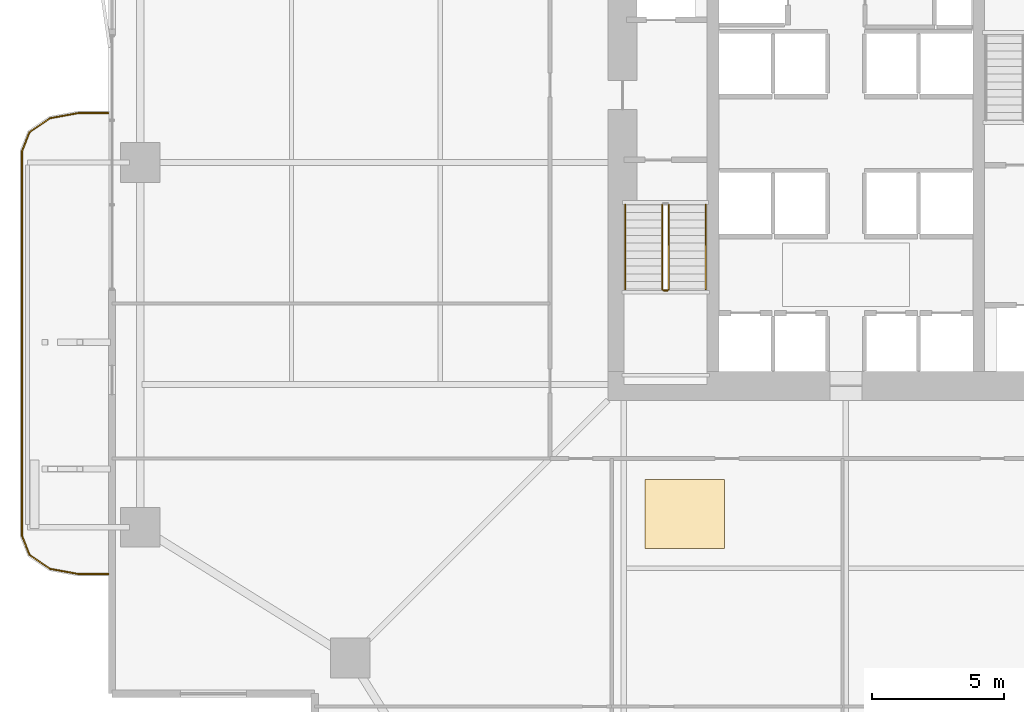
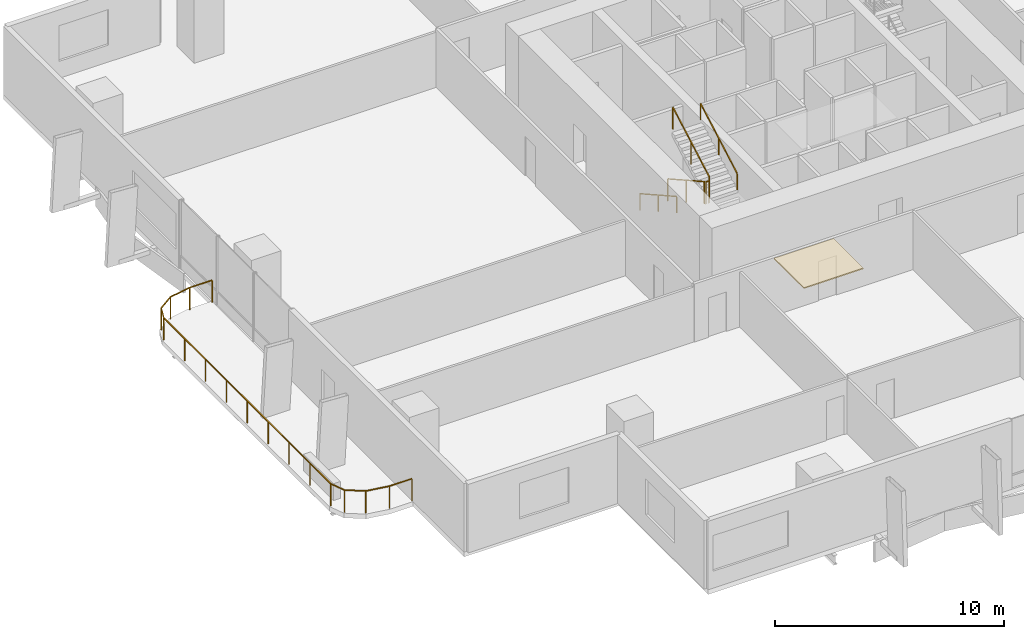
# One storey, part 21 of 24: 6 railings, 1 covering.
"""IFC4 building model written with IfcOpenShell, lengths in metres."""

from ifc_helpers import new_model, si_unit, direction, frame, origin, origin_2d, place, context, subcontext, project, spatial, polyline, rectangle, outline, extrude, material, layer, layer_set, type_object, element, save


model = new_model("IFC4")

# Units and contexts
model_context = context("Model", 3, precision=1e-05, world=origin(), true_north=direction((0.0, 1.0)))
body_context = subcontext(model_context, "Body", "Model", "MODEL_VIEW")
ifc_project = project(units=[si_unit("LENGTHUNIT", "METRE"), si_unit("AREAUNIT", "SQUARE_METRE"), si_unit("VOLUMEUNIT", "CUBIC_METRE"), si_unit("PLANEANGLEUNIT", "RADIAN"), si_unit("MASSUNIT", "GRAM", prefix="KILO")], contexts=[model_context])

# Site, building, storey
site_placement = place(None, origin())
site = spatial("IfcSite", under=ifc_project, at=site_placement, CompositionType="ELEMENT")
building_placement = place(site_placement, origin())
building = spatial("IfcBuilding", under=site, at=building_placement, Name="Belovzor Exchange Tower", CompositionType="ELEMENT")
storey_placement = place(building_placement, frame((0.0, 0.0, 61.199951171875)))
storey = spatial("IfcBuildingStorey", under=building, at=storey_placement, Name="L14", CompositionType="ELEMENT", Elevation=61.199951171875)

# Railings
ifc_material_1 = material(Name="Stainless Steel Grade 304", Category="steel")
railing_type_1 = type_object("IfcRailingType", Name="Brushed Stainless Steel Stair Handrail 900", PredefinedType="HANDRAIL", material=ifc_material_1)
railing_1_placement = place(storey_placement, frame((20.449951171875, 27.199951171875, 0.16259765625)))
element("IfcRailing", 1, at=railing_1_placement, inside=storey, type_object=railing_type_1, Name="L14 ST-1 stair handrail 1", PredefinedType="HANDRAIL", context=body_context, shape_type="SweptSolid", body=[
    extrude(rectangle(XDim=0.048095703125, YDim=0.048095703125, at=origin_2d()), frame((0.0, 0.0, 0.8759765625), z_axis=(0.0, -0.872390997893, 0.488808701636), x_axis=(1.0, 0.0, 0.0)), (0.0, 0.0, 1.0), 3.656494140625),
    extrude(rectangle(XDim=0.0419921875, YDim=0.0419921875, at=origin_2d()), origin(), (0.0, 0.0, 1.0), 0.851806640625),
    extrude(rectangle(XDim=0.0419921875, YDim=0.0419921875, at=origin_2d()), frame((0.0, -1.594970703125, 0.8935546875)), (0.0, 0.0, 1.0), 0.851806640625),
    extrude(rectangle(XDim=0.0419921875, YDim=0.0419921875, at=origin_2d()), frame((0.0, -3.18994140625, 1.787353515625)), (0.0, 0.0, 1.0), 0.851806640625),
])
railing_2_placement = place(storey_placement, frame((23.5, 24.010009765625, 2.112548828125)))
element("IfcRailing", 2, at=railing_2_placement, inside=storey, type_object=railing_type_1, Name="L14 ST-1 stair handrail 2", PredefinedType="HANDRAIL", context=body_context, shape_type="SweptSolid", body=[
    extrude(rectangle(XDim=0.048095703125, YDim=0.048095703125, at=origin_2d()), frame((0.0, 0.0, 0.8759765625), z_axis=(0.0, 0.8723625253, 0.488859514025), x_axis=(-1.0, 0.0, 0.0)), (0.0, 0.0, 1.0), 3.65673828125),
    extrude(rectangle(XDim=0.0419921875, YDim=0.0419921875, at=origin_2d()), origin(), (0.0, 0.0, 1.0), 0.851806640625),
    extrude(rectangle(XDim=0.0419921875, YDim=0.0419921875, at=origin_2d()), frame((0.0, 1.594970703125, 0.893798828125)), (0.0, 0.0, 1.0), 0.851806640625),
    extrude(rectangle(XDim=0.0419921875, YDim=0.0419921875, at=origin_2d()), frame((0.0, 3.18994140625, 1.78759765625)), (0.0, 0.0, 1.0), 0.851806640625),
])
ifc_material_2 = material(Name="Stainless Steel and Laminated Safety Glass", Category="steel")
railing_type_2 = type_object("IfcRailingType", Name="Laminated Glass & Stainless Steel Balcony Balustrade 1200", PredefinedType="BALUSTRADE", material=ifc_material_2)
railing_3_placement = place(storey_placement, frame((0.889892578125, 30.669921875, 0.0)))
element("IfcRailing", 3, at=railing_3_placement, inside=storey, type_object=railing_type_2, Name="GR-1 Balcony Balustrade L14 West", PredefinedType="BALUSTRADE", context=body_context, shape_type="SweptSolid", body=[
    extrude(rectangle(XDim=0.048095703125, YDim=0.048095703125, at=origin_2d()), frame((0.0, 0.0, 1.17578125), z_axis=(-1.0, 0.0, 0.0), x_axis=(0.0, -1.0, 0.0)), (0.0, 0.0, 1.0), 1.1328125),
    extrude(rectangle(XDim=0.048095703125, YDim=0.048095703125, at=origin_2d()), frame((-1.1328125, 0.0, 1.17578125), z_axis=(-0.983651385113, -0.180083182347, 0.0), x_axis=(0.180083182347, -0.983651385113, 0.0)), (0.0, 0.0, 1.0), 1.093994140625),
    extrude(rectangle(XDim=0.048095703125, YDim=0.048095703125, at=origin_2d()), frame((-2.208984375, -0.197021484375, 1.17578125), z_axis=(-0.826614792125, -0.562768145367, 0.0), x_axis=(0.562768145367, -0.826614792125, 0.0)), (0.0, 0.0, 1.0), 0.9326171875),
    extrude(rectangle(XDim=0.048095703125, YDim=0.048095703125, at=origin_2d()), frame((-2.97998046875, -0.721923828125, 1.17578125), z_axis=(-0.365612923861, -0.930766990125, 0.0), x_axis=(0.930766990125, -0.365612923861, 0.0)), (0.0, 0.0, 1.0), 0.765869140625),
    extrude(rectangle(XDim=0.048095703125, YDim=0.048095703125, at=origin_2d()), frame((-3.260009765625, -1.434814453125, 1.17578125), z_axis=(0.0, -1.0, 0.0), x_axis=(1.0, 0.0, 0.0)), (0.0, 0.0, 1.0), 14.570068359375),
    extrude(rectangle(XDim=0.048095703125, YDim=0.048095703125, at=origin_2d()), frame((-3.260009765625, -16.0048828125, 1.17578125), z_axis=(0.365504480807, -0.930809580156, 0.0), x_axis=(0.930809580156, 0.365504480807, 0.0)), (0.0, 0.0, 1.0), 0.76611328125),
    extrude(rectangle(XDim=0.048095703125, YDim=0.048095703125, at=origin_2d()), frame((-2.97998046875, -16.718017578125, 1.17578125), z_axis=(0.826614792125, -0.562768145367, 0.0), x_axis=(0.562768145367, 0.826614792125, 0.0)), (0.0, 0.0, 1.0), 0.9326171875),
    extrude(rectangle(XDim=0.048095703125, YDim=0.048095703125, at=origin_2d()), frame((-2.208984375, -17.242919921875, 1.17578125), z_axis=(0.983651385113, -0.180083182347, 0.0), x_axis=(0.180083182347, 0.983651385113, 0.0)), (0.0, 0.0, 1.0), 1.093994140625),
    extrude(rectangle(XDim=0.048095703125, YDim=0.048095703125, at=origin_2d()), frame((-1.1328125, -17.43994140625, 1.17578125), z_axis=(1.0, 0.0, 0.0), x_axis=(0.0, 1.0, 0.0)), (0.0, 0.0, 1.0), 1.1328125),
    extrude(rectangle(XDim=0.0419921875, YDim=0.0419921875, at=origin_2d()), origin(), (0.0, 0.0, 1.0), 1.15185546875),
    extrude(rectangle(XDim=0.0419921875, YDim=0.0419921875, at=origin_2d()), frame((-1.1328125, 0.0, 0.0)), (0.0, 0.0, 1.0), 1.15185546875),
    extrude(rectangle(XDim=0.0419921875, YDim=0.0419921875, at=origin_2d()), frame((-2.208984375, -0.197021484375, 0.0)), (0.0, 0.0, 1.0), 1.15185546875),
    extrude(rectangle(XDim=0.0419921875, YDim=0.0419921875, at=origin_2d()), frame((-2.97998046875, -0.721923828125, 0.0)), (0.0, 0.0, 1.0), 1.15185546875),
    extrude(rectangle(XDim=0.0419921875, YDim=0.0419921875, at=origin_2d()), frame((-3.260009765625, -1.434814453125, 0.0)), (0.0, 0.0, 1.0), 1.15185546875),
    extrude(rectangle(XDim=0.0419921875, YDim=0.0419921875, at=origin_2d()), frame((-3.260009765625, -3.256103515625, 0.0)), (0.0, 0.0, 1.0), 1.15185546875),
    extrude(rectangle(XDim=0.0419921875, YDim=0.0419921875, at=origin_2d()), frame((-3.260009765625, -5.077392578125, 0.0)), (0.0, 0.0, 1.0), 1.15185546875),
    extrude(rectangle(XDim=0.0419921875, YDim=0.0419921875, at=origin_2d()), frame((-3.260009765625, -6.898681640625, 0.0)), (0.0, 0.0, 1.0), 1.15185546875),
    extrude(rectangle(XDim=0.0419921875, YDim=0.0419921875, at=origin_2d()), frame((-3.260009765625, -8.7197265625, 0.0)), (0.0, 0.0, 1.0), 1.15185546875),
    extrude(rectangle(XDim=0.0419921875, YDim=0.0419921875, at=origin_2d()), frame((-3.260009765625, -10.541015625, 0.0)), (0.0, 0.0, 1.0), 1.15185546875),
    extrude(rectangle(XDim=0.0419921875, YDim=0.0419921875, at=origin_2d()), frame((-3.260009765625, -12.3623046875, 0.0)), (0.0, 0.0, 1.0), 1.15185546875),
    extrude(rectangle(XDim=0.0419921875, YDim=0.0419921875, at=origin_2d()), frame((-3.260009765625, -14.18359375, 0.0)), (0.0, 0.0, 1.0), 1.15185546875),
    extrude(rectangle(XDim=0.0419921875, YDim=0.0419921875, at=origin_2d()), frame((-3.260009765625, -16.0048828125, 0.0)), (0.0, 0.0, 1.0), 1.15185546875),
    extrude(rectangle(XDim=0.0419921875, YDim=0.0419921875, at=origin_2d()), frame((-2.97998046875, -16.718017578125, 0.0)), (0.0, 0.0, 1.0), 1.15185546875),
    extrude(rectangle(XDim=0.0419921875, YDim=0.0419921875, at=origin_2d()), frame((-2.208984375, -17.242919921875, 0.0)), (0.0, 0.0, 1.0), 1.15185546875),
    extrude(rectangle(XDim=0.0419921875, YDim=0.0419921875, at=origin_2d()), frame((-1.1328125, -17.43994140625, 0.0)), (0.0, 0.0, 1.0), 1.15185546875),
    extrude(rectangle(XDim=0.0419921875, YDim=0.0419921875, at=origin_2d()), frame((0.0, -17.43994140625, 0.0)), (0.0, 0.0, 1.0), 1.15185546875),
])
ifc_material_3 = material(Name="Steel S355", Category="steel")
railing_type_3 = type_object("IfcRailingType", Name="Painted Steel Stairwell Guardrail 1200", PredefinedType="GUARDRAIL", material=ifc_material_3)
railing_4_placement = place(storey_placement, frame((21.85009765625, 27.199951171875, 0.16259765625)))
element("IfcRailing", 4, at=railing_4_placement, inside=storey, type_object=railing_type_3, Name="L14 ST-1 stair guard 1", PredefinedType="GUARDRAIL", context=body_context, shape_type="SweptSolid", body=[
    extrude(rectangle(XDim=0.048095703125, YDim=0.048095703125, at=origin_2d()), frame((0.0, 0.0, 1.17578125), z_axis=(0.0, -0.872390997893, 0.488808701636), x_axis=(1.0, 0.0, 0.0)), (0.0, 0.0, 1.0), 3.656494140625),
    extrude(rectangle(XDim=0.0419921875, YDim=0.0419921875, at=origin_2d()), origin(), (0.0, 0.0, 1.0), 1.15185546875),
    extrude(rectangle(XDim=0.0419921875, YDim=0.0419921875, at=origin_2d()), frame((0.0, -1.594970703125, 0.8935546875)), (0.0, 0.0, 1.0), 1.15185546875),
    extrude(rectangle(XDim=0.0419921875, YDim=0.0419921875, at=origin_2d()), frame((0.0, -3.18994140625, 1.787353515625)), (0.0, 0.0, 1.0), 1.15185546875),
])
railing_5_placement = place(storey_placement, frame((21.89990234375, 23.9599609375, 1.949951171875)))
element("IfcRailing", 5, at=railing_5_placement, inside=storey, type_object=railing_type_3, Name="L14 ST-1 stair guard 2", PredefinedType="GUARDRAIL", context=body_context, shape_type="SweptSolid", body=[
    extrude(rectangle(XDim=0.048095703125, YDim=0.048095703125, at=origin_2d()), frame((0.0, 0.0, 1.17578125), z_axis=(1.0, 0.0, 0.0), x_axis=(0.0, 1.0, 0.0)), (0.0, 0.0, 1.0), 0.150146484375),
    extrude(rectangle(XDim=0.0419921875, YDim=0.0419921875, at=origin_2d()), origin(), (0.0, 0.0, 1.0), 1.15185546875),
    extrude(rectangle(XDim=0.0419921875, YDim=0.0419921875, at=origin_2d()), frame((0.150146484375, 0.0, 0.0)), (0.0, 0.0, 1.0), 1.15185546875),
])
railing_6_placement = place(storey_placement, frame((22.10009765625, 24.010009765625, 2.112548828125)))
element("IfcRailing", 6, at=railing_6_placement, inside=storey, type_object=railing_type_3, Name="L14 ST-1 stair guard 3", PredefinedType="GUARDRAIL", context=body_context, shape_type="SweptSolid", body=[
    extrude(rectangle(XDim=0.048095703125, YDim=0.048095703125, at=origin_2d()), frame((0.0, 0.0, 1.17578125), z_axis=(0.0, 0.8723625253, 0.488859514025), x_axis=(-1.0, 0.0, 0.0)), (0.0, 0.0, 1.0), 3.65673828125),
    extrude(rectangle(XDim=0.0419921875, YDim=0.0419921875, at=origin_2d()), origin(), (0.0, 0.0, 1.0), 1.15185546875),
    extrude(rectangle(XDim=0.0419921875, YDim=0.0419921875, at=origin_2d()), frame((0.0, 1.594970703125, 0.893798828125)), (0.0, 0.0, 1.0), 1.15185546875),
    extrude(rectangle(XDim=0.0419921875, YDim=0.0419921875, at=origin_2d()), frame((0.0, 3.18994140625, 1.78759765625)), (0.0, 0.0, 1.0), 1.15185546875),
])

# Covering
ifc_material_4 = material(Name="Perforated Powder-Coated Aluminium", Category="aluminium")
ifc_layer = layer(ifc_material_4, 0.06005859375)
ifc_layer_set = layer_set([ifc_layer], Name="Perforated Powder-Coated Aluminium")
covering_type = type_object("IfcCoveringType", Name="Perforated Acoustic Metal Tile Suspended Ceiling 60", PredefinedType="CEILING", material=ifc_layer_set)
covering_placement = place(storey_placement, frame((0.0, 0.0, 3.590087890625)))
element("IfcCovering", 7, at=covering_placement, inside=storey, type_object=covering_type, Name="CLG-AC60 Suspended Ceiling CLG-L14-Z0", PredefinedType="CEILING", context=body_context, shape_type="SweptSolid", body=[
    extrude(outline(polyline([(21.199951171875, 14.199951171875), (24.199951171875, 14.199951171875), (24.199951171875, 16.800048828125), (21.199951171875, 16.800048828125), (21.199951171875, 14.199951171875)])), origin(), (0.0, 0.0, 1.0), 0.06005859375),
])

save(model, "model.ifc")
